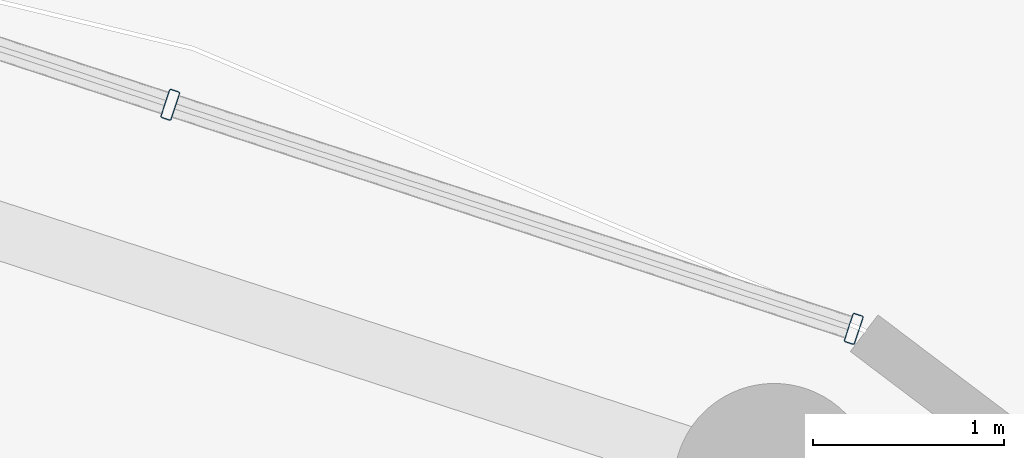
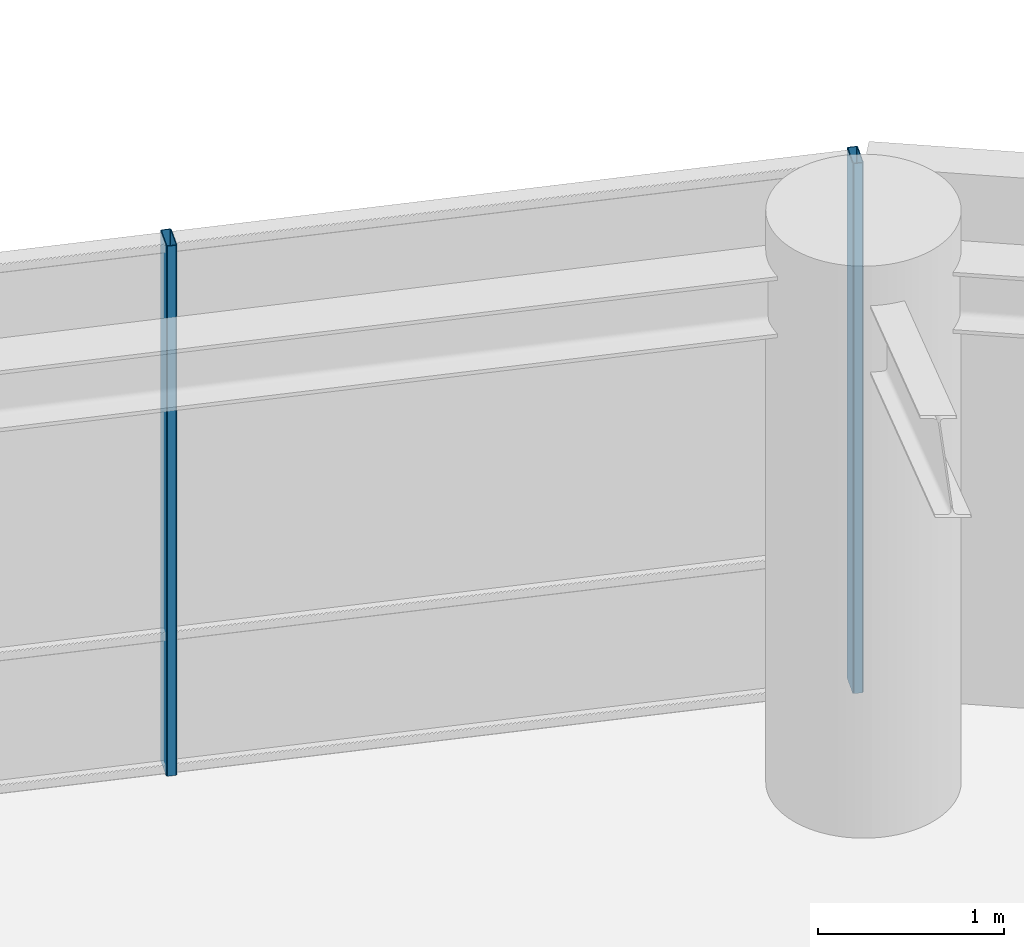
# One storey, part 22 of 31: 2 members, 1 element without a shape of its own.
"""IFC4 building model written with IfcOpenShell, lengths in metres."""

import ifcopenshell
import ifcopenshell.guid

model = None  # the IFC model being written
_history = None  # IfcOwnerHistory: only IFC2X3 demands one
_inside = {}  # id of a spatial element -> (the spatial element, [elements in it])
_under = {}  # id of a project, library or spatial element -> (it, [spatial elements below it])
_declared = {}  # id of a project -> (the project, [libraries it declares])
_typed = {}  # id of a type object -> (the type object, [elements of that type])
_made_of = {}  # id of a material, layer set ... -> (it, [elements and type objects made of it])


def new_model(schema):
    """Start an empty IFC model of exactly this schema.

    Asked for "IFC4X3", IfcOpenShell would pick the latest addendum, in which some entities
    have other attributes; the version numbers below select the first issue.
    IFC2X3 requires an IfcOwnerHistory on every rooted entity: one is made here for all.
    """
    global model, _history
    if schema == "IFC4X3":
        model = ifcopenshell.file(schema_version=(4, 3, 0, 0))
    else:
        model = ifcopenshell.file(schema=schema)
    _inside.clear()
    _under.clear()
    _declared.clear()
    _typed.clear()
    _made_of.clear()
    _history = None
    if model.schema == "IFC2X3":
        org = make("IfcOrganization", Name="unknown")
        user = make(
            "IfcPersonAndOrganization",
            ThePerson=make("IfcPerson", FamilyName="unknown"),
            TheOrganization=org,
        )
        app = make(
            "IfcApplication",
            ApplicationDeveloper=org,
            Version="unknown",
            ApplicationFullName="unknown",
            ApplicationIdentifier="unknown",
        )
        _history = make(
            "IfcOwnerHistory",
            OwningUser=user,
            OwningApplication=app,
            ChangeAction="ADDED",
            CreationDate=0,
        )
    return model


def make(cls, **values):
    """One entity of the class cls with the attributes given. An attribute that is None is left unset."""
    return model.create_entity(
        cls, **{name: value for name, value in values.items() if value is not None}
    )


def rooted(cls, **values):
    """An entity with a GlobalId (a new one), such as an element, a storey or a relation."""
    return make(cls, GlobalId=ifcopenshell.guid.new(), OwnerHistory=_history, **values)


def si_unit(unit_type, name, prefix=None):
    """IfcSIUnit, for example si_unit("LENGTHUNIT", "METRE", prefix="MILLI")."""
    return make("IfcSIUnit", UnitType=unit_type, Prefix=prefix, Name=name)


def assignment(units):
    """IfcUnitAssignment: the units of a project."""
    return None if units is None else make("IfcUnitAssignment", Units=units)


def point(xyz):
    """IfcCartesianPoint."""
    return None if xyz is None else make("IfcCartesianPoint", Coordinates=xyz)


def direction(xyz):
    """IfcDirection."""
    return None if xyz is None else make("IfcDirection", DirectionRatios=xyz)


def frame(location, z_axis=None, x_axis=None):
    """IfcAxis2Placement3D, a coordinate frame: its origin and axes. An axis left out is left unset."""
    return make(
        "IfcAxis2Placement3D",
        Location=point(location),
        Axis=direction(z_axis),
        RefDirection=direction(x_axis),
    )


def frame_2d(location, x_axis=None):
    """IfcAxis2Placement2D, a coordinate frame in the plane: its origin and x axis."""
    return make(
        "IfcAxis2Placement2D", Location=point(location), RefDirection=direction(x_axis)
    )


def origin():
    """The frame at (0, 0, 0) with its axes left unset."""
    return frame((0.0, 0.0, 0.0))


def origin_2d():
    """The frame at (0, 0) in the plane with its x axis left unset."""
    return frame_2d((0.0, 0.0))


def place(relative_to, where):
    """IfcLocalPlacement: puts the frame where relative to a parent placement (None: the world)."""
    return make(
        "IfcLocalPlacement", PlacementRelTo=relative_to, RelativePlacement=where
    )


def context(
    kind, dimensions, precision=None, world=None, true_north=None, identifier=None
):
    """IfcGeometricRepresentationContext, for example the 3D "Model" context."""
    return make(
        "IfcGeometricRepresentationContext",
        ContextIdentifier=identifier,
        ContextType=kind,
        CoordinateSpaceDimension=dimensions,
        Precision=precision,
        WorldCoordinateSystem=world,
        TrueNorth=true_north,
    )


def subcontext(parent, identifier, kind, view, scale=None):
    """IfcGeometricRepresentationSubContext, for example "Body" below "Model"."""
    return make(
        "IfcGeometricRepresentationSubContext",
        ContextIdentifier=identifier,
        ContextType=kind,
        ParentContext=parent,
        TargetScale=scale,
        TargetView=view,
    )


def project(units=None, contexts=None):
    """IfcProject with its units and contexts."""
    return rooted(
        "IfcProject",
        Name="project",
        RepresentationContexts=contexts,
        UnitsInContext=assignment(units),
    )


def spatial(cls, under=None, at=None, **own):
    """A site, building, storey or space (cls), placed at a placement, below another one or the project."""
    s = rooted(cls, ObjectPlacement=at, **own)
    if under is not None:
        _under.setdefault(under.id(), (under, []))[1].append(s)
    return s


def profile(cls, at=None, kind="AREA", **sizes):
    """A parametric profile (cls). Its sizes go by their IFC names, for example OverallWidth=200.0."""
    return make(cls, ProfileType=kind, Position=at, **sizes)


def hollow_rectangle(**sizes):
    """IfcRectangleHollowProfileDef."""
    return profile("IfcRectangleHollowProfileDef", **sizes)


def extrude(swept, where, along, depth):
    """IfcExtrudedAreaSolid: the profile swept, set in the frame where, extruded along a direction by depth."""
    return make(
        "IfcExtrudedAreaSolid",
        SweptArea=swept,
        Position=where,
        ExtrudedDirection=direction(along),
        Depth=depth,
    )


def shape(context_of_items, identifier, shape_type, items):
    """IfcShapeRepresentation: the items that make up one representation, for example the "Body"."""
    return make(
        "IfcShapeRepresentation",
        ContextOfItems=context_of_items,
        RepresentationIdentifier=identifier,
        RepresentationType=shape_type,
        Items=items,
    )


def material(Name=None, Category=None):
    """IfcMaterial."""
    return make("IfcMaterial", Name=Name, Category=Category)


def layer(
    of_material, thickness, ventilated=None, Name=None, Category=None, Priority=None
):
    """IfcMaterialLayer: one layer of a wall or slab, of a material (None: an air gap)."""
    return make(
        "IfcMaterialLayer",
        Material=of_material,
        LayerThickness=thickness,
        IsVentilated=ventilated,
        Name=Name,
        Category=Category,
        Priority=Priority,
    )


def layer_set(layers, Name=None):
    """IfcMaterialLayerSet."""
    return make("IfcMaterialLayerSet", MaterialLayers=layers, LayerSetName=Name)


def material_profile(
    of_material, cross_section, Name=None, Category=None, Priority=None
):
    """IfcMaterialProfile: a cross section and its material."""
    return make(
        "IfcMaterialProfile",
        Name=Name,
        Material=of_material,
        Profile=cross_section,
        Priority=Priority,
        Category=Category,
    )


def profile_set(profiles, Name=None, composite=None):
    """IfcMaterialProfileSet."""
    return make(
        "IfcMaterialProfileSet",
        Name=Name,
        MaterialProfiles=profiles,
        CompositeProfile=composite,
    )


def made_of(thing, what):
    """Note that an element or type object is made of a material, layer set ...; save() writes the relation."""
    if what is not None:
        _made_of.setdefault(what.id(), (what, []))[1].append(thing)
    return thing


def type_object(cls, material=None, **own):
    """A type object (cls), such as IfcWallType, which elements share."""
    return made_of(rooted(cls, **own), material)


def element(
    cls,
    number,
    at=None,
    inside=None,
    cuts=None,
    type_object=None,
    material=None,
    context=None,
    identifier="Body",
    shape_type=None,
    held_by="IfcProductDefinitionShape",
    body=None,
    shapes=None,
    **own,
):
    """One element of the class cls, such as IfcWall. Its Tag is "e" and its number.

    at: its placement. inside: the storey or other place that contains it. cuts: it is an
    opening in that element (IfcRelVoidsElement). A single representation is given by context,
    identifier, shape_type and body (its items); several are given by shapes. held_by: the class
    of the entity that holds the representations. save() writes the other relations.
    """
    e = rooted(cls, Tag="e%d" % number, ObjectPlacement=at, **own)
    if body is not None:
        shapes = [shape(context, identifier, shape_type, body)]
    if shapes is not None:
        e.Representation = make(held_by, Representations=shapes)
    if inside is not None:
        _inside.setdefault(inside.id(), (inside, []))[1].append(e)
    if cuts is not None:
        rooted(
            "IfcRelVoidsElement", RelatingBuildingElement=cuts, RelatedOpeningElement=e
        )
    if type_object is not None:
        _typed.setdefault(type_object.id(), (type_object, []))[1].append(e)
    return made_of(e, material)


def aggregate(whole, parts):
    """IfcRelAggregates: a whole, such as a stair, and the parts it consists of."""
    return rooted("IfcRelAggregates", RelatingObject=whole, RelatedObjects=parts)


def save(model, path):
    """Write the relations noted so far, then the file.

    IfcRelAggregates (storeys below a building ...), IfcRelContainedInSpatialStructure (elements
    in a storey), IfcRelDefinesByType, IfcRelAssociatesMaterial and IfcRelDeclares: one each for
    every whole, place, type object, material and project.
    """
    for whole, parts in _under.values():
        aggregate(whole, parts)
    for where, things in _inside.values():
        rooted(
            "IfcRelContainedInSpatialStructure",
            RelatedElements=things,
            RelatingStructure=where,
        )
    for kind, things in _typed.values():
        rooted("IfcRelDefinesByType", RelatedObjects=things, RelatingType=kind)
    for what, things in _made_of.values():
        rooted("IfcRelAssociatesMaterial", RelatedObjects=things, RelatingMaterial=what)
    for by, libraries in _declared.values():
        rooted("IfcRelDeclares", RelatingContext=by, RelatedDefinitions=libraries)
    model.write(path)


model = new_model("IFC4")

# Units and contexts
model_context = context("Model", 3, precision=1e-05, world=origin(), true_north=direction((0.0, 1.0)))
body_context = subcontext(model_context, "Body", "Model", "MODEL_VIEW")
ifc_project = project(units=[si_unit("LENGTHUNIT", "METRE"), si_unit("AREAUNIT", "SQUARE_METRE"), si_unit("VOLUMEUNIT", "CUBIC_METRE"), si_unit("PLANEANGLEUNIT", "RADIAN"), si_unit("MASSUNIT", "GRAM", prefix="KILO")], contexts=[model_context])

# Site, building, storey
site_placement = place(None, origin())
site = spatial("IfcSite", under=ifc_project, at=site_placement, CompositionType="ELEMENT")
building_placement = place(site_placement, origin())
building = spatial("IfcBuilding", under=site, at=building_placement, Name="Kelanora Arch Commons", CompositionType="ELEMENT")
storey_placement = place(building_placement, frame((0.0, 0.0, 230.699951171875)))
storey = spatial("IfcBuildingStorey", under=building, at=storey_placement, Name="L59", CompositionType="ELEMENT", Elevation=230.699951171875)

# Curtain wall, members
ifc_material_1 = material(Name="Terracotta ceramic-fritted low-E glass and aluminium", Category="masonry")
ifc_layer = layer(ifc_material_1, 0.175048828125)
ifc_layer_set = layer_set([ifc_layer], Name="Terracotta ceramic-fritted low-E glass and aluminium")
curtain_wall_type = type_object("IfcCurtainWallType", Name="CW-SYS-02", PredefinedType="NOTDEFINED", material=ifc_layer_set)
curtain_wall_placement = place(storey_placement, origin())
curtain_wall = element("IfcCurtainWall", 1, at=curtain_wall_placement, inside=storey, type_object=curtain_wall_type, Name="Unitised Curtain Wall L59-B03", PredefinedType="NOTDEFINED")
ifc_material_2 = material(Name="Powder-coated aluminium terracotta", Category="masonry")
ifc_material_profile = material_profile(ifc_material_2, hollow_rectangle(XDim=0.159912109375, YDim=0.06005859375, WallThickness=0.0048828125, InnerFilletRadius=0.0048828125, OuterFilletRadius=0.010009765625, at=origin_2d()), Name="CWM160x60")
ifc_profile_set = profile_set([ifc_material_profile], Name="Powder-coated aluminium terracotta")
member_type = type_object("IfcMemberType", Name="CWM-STD", PredefinedType="MULLION", material=ifc_profile_set)
member_1_placement = place(storey_placement, frame((85.05712890625, 75.33447265625, 0.0), z_axis=(0.0, 0.0, 1.0), x_axis=(-0.311582439059, -0.950219124029, 0.0)))
member_1 = element("IfcMember", 2, at=member_1_placement, type_object=member_type, Name="CW-02 mullion 1", PredefinedType="MULLION", context=body_context, shape_type="SweptSolid", body=[
    extrude(hollow_rectangle(XDim=0.159912109375, YDim=0.06005859375, WallThickness=0.0048828125, InnerFilletRadius=0.0048828125, OuterFilletRadius=0.010009765625, at=origin_2d()), origin(), (0.0, 0.0, 1.0), 3.47509765625),
])
member_2_placement = place(storey_placement, frame((81.4775390625, 76.50830078125, 0.0), z_axis=(0.0, 0.0, 1.0), x_axis=(-0.311582439059, -0.950219124029, 0.0)))
member_2 = element("IfcMember", 3, at=member_2_placement, type_object=member_type, Name="CW-02 mullion 2", PredefinedType="MULLION", context=body_context, shape_type="SweptSolid", body=[
    extrude(hollow_rectangle(XDim=0.159912109375, YDim=0.06005859375, WallThickness=0.0048828125, InnerFilletRadius=0.0048828125, OuterFilletRadius=0.010009765625, at=origin_2d()), origin(), (0.0, 0.0, 1.0), 3.47509765625),
])
aggregate(curtain_wall, [member_1, member_2])

save(model, "model.ifc")
